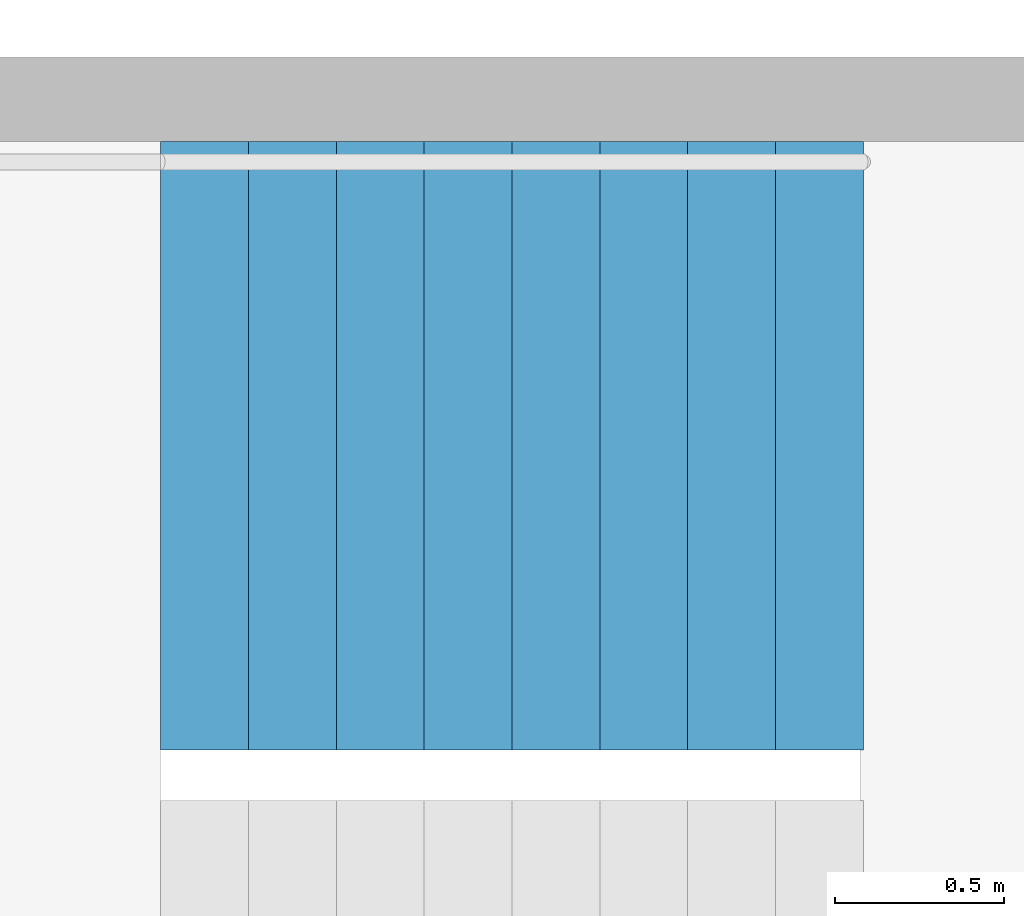
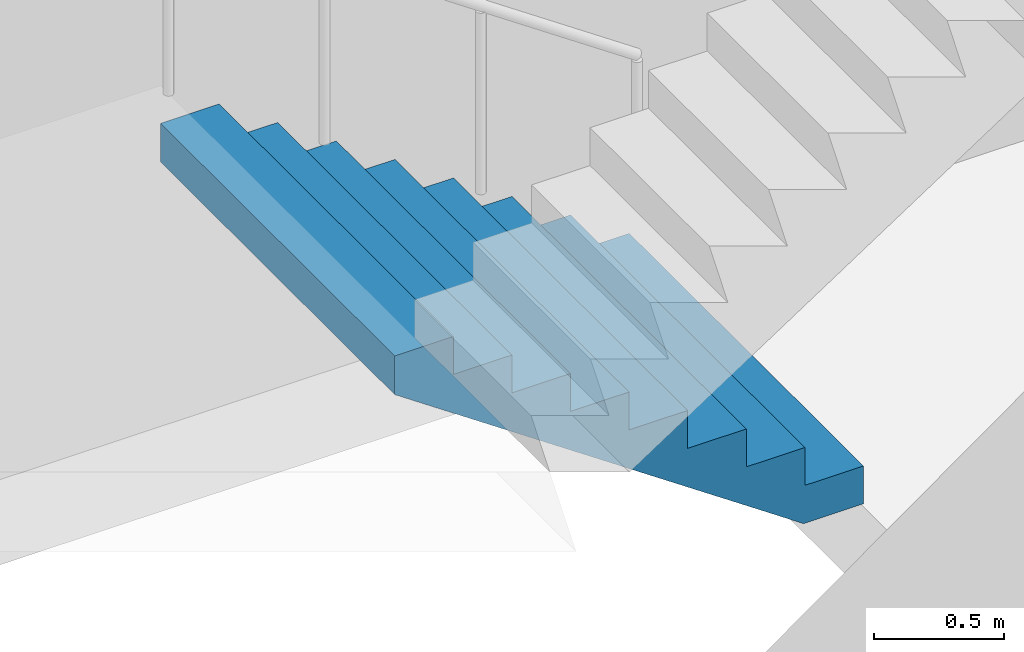
# One storey, part 22 of 29: 1 stair flight, 1 element without a shape of its own.
"""IFC4 building model written with IfcOpenShell, lengths in metres."""

import ifcopenshell
import ifcopenshell.guid

model = None  # the IFC model being written
_history = None  # IfcOwnerHistory: only IFC2X3 demands one
_inside = {}  # id of a spatial element -> (the spatial element, [elements in it])
_under = {}  # id of a project, library or spatial element -> (it, [spatial elements below it])
_declared = {}  # id of a project -> (the project, [libraries it declares])
_typed = {}  # id of a type object -> (the type object, [elements of that type])
_made_of = {}  # id of a material, layer set ... -> (it, [elements and type objects made of it])


def new_model(schema):
    """Start an empty IFC model of exactly this schema.

    Asked for "IFC4X3", IfcOpenShell would pick the latest addendum, in which some entities
    have other attributes; the version numbers below select the first issue.
    IFC2X3 requires an IfcOwnerHistory on every rooted entity: one is made here for all.
    """
    global model, _history
    if schema == "IFC4X3":
        model = ifcopenshell.file(schema_version=(4, 3, 0, 0))
    else:
        model = ifcopenshell.file(schema=schema)
    _inside.clear()
    _under.clear()
    _declared.clear()
    _typed.clear()
    _made_of.clear()
    _history = None
    if model.schema == "IFC2X3":
        org = make("IfcOrganization", Name="unknown")
        user = make(
            "IfcPersonAndOrganization",
            ThePerson=make("IfcPerson", FamilyName="unknown"),
            TheOrganization=org,
        )
        app = make(
            "IfcApplication",
            ApplicationDeveloper=org,
            Version="unknown",
            ApplicationFullName="unknown",
            ApplicationIdentifier="unknown",
        )
        _history = make(
            "IfcOwnerHistory",
            OwningUser=user,
            OwningApplication=app,
            ChangeAction="ADDED",
            CreationDate=0,
        )
    return model


def make(cls, **values):
    """One entity of the class cls with the attributes given. An attribute that is None is left unset."""
    return model.create_entity(
        cls, **{name: value for name, value in values.items() if value is not None}
    )


def rooted(cls, **values):
    """An entity with a GlobalId (a new one), such as an element, a storey or a relation."""
    return make(cls, GlobalId=ifcopenshell.guid.new(), OwnerHistory=_history, **values)


def si_unit(unit_type, name, prefix=None):
    """IfcSIUnit, for example si_unit("LENGTHUNIT", "METRE", prefix="MILLI")."""
    return make("IfcSIUnit", UnitType=unit_type, Prefix=prefix, Name=name)


def assignment(units):
    """IfcUnitAssignment: the units of a project."""
    return None if units is None else make("IfcUnitAssignment", Units=units)


def point(xyz):
    """IfcCartesianPoint."""
    return None if xyz is None else make("IfcCartesianPoint", Coordinates=xyz)


def direction(xyz):
    """IfcDirection."""
    return None if xyz is None else make("IfcDirection", DirectionRatios=xyz)


def frame(location, z_axis=None, x_axis=None):
    """IfcAxis2Placement3D, a coordinate frame: its origin and axes. An axis left out is left unset."""
    return make(
        "IfcAxis2Placement3D",
        Location=point(location),
        Axis=direction(z_axis),
        RefDirection=direction(x_axis),
    )


def origin():
    """The frame at (0, 0, 0) with its axes left unset."""
    return frame((0.0, 0.0, 0.0))


def place(relative_to, where):
    """IfcLocalPlacement: puts the frame where relative to a parent placement (None: the world)."""
    return make(
        "IfcLocalPlacement", PlacementRelTo=relative_to, RelativePlacement=where
    )


def context(
    kind, dimensions, precision=None, world=None, true_north=None, identifier=None
):
    """IfcGeometricRepresentationContext, for example the 3D "Model" context."""
    return make(
        "IfcGeometricRepresentationContext",
        ContextIdentifier=identifier,
        ContextType=kind,
        CoordinateSpaceDimension=dimensions,
        Precision=precision,
        WorldCoordinateSystem=world,
        TrueNorth=true_north,
    )


def subcontext(parent, identifier, kind, view, scale=None):
    """IfcGeometricRepresentationSubContext, for example "Body" below "Model"."""
    return make(
        "IfcGeometricRepresentationSubContext",
        ContextIdentifier=identifier,
        ContextType=kind,
        ParentContext=parent,
        TargetScale=scale,
        TargetView=view,
    )


def project(units=None, contexts=None):
    """IfcProject with its units and contexts."""
    return rooted(
        "IfcProject",
        Name="project",
        RepresentationContexts=contexts,
        UnitsInContext=assignment(units),
    )


def spatial(cls, under=None, at=None, **own):
    """A site, building, storey or space (cls), placed at a placement, below another one or the project."""
    s = rooted(cls, ObjectPlacement=at, **own)
    if under is not None:
        _under.setdefault(under.id(), (under, []))[1].append(s)
    return s


def point_list(points):
    """IfcCartesianPointList2D or 3D."""
    cls = (
        "IfcCartesianPointList2D" if len(points[0]) == 2 else "IfcCartesianPointList3D"
    )
    return make(cls, CoordList=points)


def triangles(points, corners, closed=None, point_numbers=None):
    """IfcTriangulatedFaceSet: each triangle names its three corners, points numbered from 1."""
    return make(
        "IfcTriangulatedFaceSet",
        Coordinates=point_list(points),
        Closed=closed,
        CoordIndex=corners,
        PnIndex=point_numbers,
    )


def shape(context_of_items, identifier, shape_type, items):
    """IfcShapeRepresentation: the items that make up one representation, for example the "Body"."""
    return make(
        "IfcShapeRepresentation",
        ContextOfItems=context_of_items,
        RepresentationIdentifier=identifier,
        RepresentationType=shape_type,
        Items=items,
    )


def material(Name=None, Category=None):
    """IfcMaterial."""
    return make("IfcMaterial", Name=Name, Category=Category)


def made_of(thing, what):
    """Note that an element or type object is made of a material, layer set ...; save() writes the relation."""
    if what is not None:
        _made_of.setdefault(what.id(), (what, []))[1].append(thing)
    return thing


def type_object(cls, material=None, **own):
    """A type object (cls), such as IfcWallType, which elements share."""
    return made_of(rooted(cls, **own), material)


def element(
    cls,
    number,
    at=None,
    inside=None,
    cuts=None,
    type_object=None,
    material=None,
    context=None,
    identifier="Body",
    shape_type=None,
    held_by="IfcProductDefinitionShape",
    body=None,
    shapes=None,
    **own,
):
    """One element of the class cls, such as IfcWall. Its Tag is "e" and its number.

    at: its placement. inside: the storey or other place that contains it. cuts: it is an
    opening in that element (IfcRelVoidsElement). A single representation is given by context,
    identifier, shape_type and body (its items); several are given by shapes. held_by: the class
    of the entity that holds the representations. save() writes the other relations.
    """
    e = rooted(cls, Tag="e%d" % number, ObjectPlacement=at, **own)
    if body is not None:
        shapes = [shape(context, identifier, shape_type, body)]
    if shapes is not None:
        e.Representation = make(held_by, Representations=shapes)
    if inside is not None:
        _inside.setdefault(inside.id(), (inside, []))[1].append(e)
    if cuts is not None:
        rooted(
            "IfcRelVoidsElement", RelatingBuildingElement=cuts, RelatedOpeningElement=e
        )
    if type_object is not None:
        _typed.setdefault(type_object.id(), (type_object, []))[1].append(e)
    return made_of(e, material)


def aggregate(whole, parts):
    """IfcRelAggregates: a whole, such as a stair, and the parts it consists of."""
    return rooted("IfcRelAggregates", RelatingObject=whole, RelatedObjects=parts)


def save(model, path):
    """Write the relations noted so far, then the file.

    IfcRelAggregates (storeys below a building ...), IfcRelContainedInSpatialStructure (elements
    in a storey), IfcRelDefinesByType, IfcRelAssociatesMaterial and IfcRelDeclares: one each for
    every whole, place, type object, material and project.
    """
    for whole, parts in _under.values():
        aggregate(whole, parts)
    for where, things in _inside.values():
        rooted(
            "IfcRelContainedInSpatialStructure",
            RelatedElements=things,
            RelatingStructure=where,
        )
    for kind, things in _typed.values():
        rooted("IfcRelDefinesByType", RelatedObjects=things, RelatingType=kind)
    for what, things in _made_of.values():
        rooted("IfcRelAssociatesMaterial", RelatedObjects=things, RelatingMaterial=what)
    for by, libraries in _declared.values():
        rooted("IfcRelDeclares", RelatingContext=by, RelatedDefinitions=libraries)
    model.write(path)


model = new_model("IFC4")

# Units and contexts
model_context = context("Model", 3, precision=1e-05, world=origin(), true_north=direction((0.0, 1.0)))
body_context = subcontext(model_context, "Body", "Model", "MODEL_VIEW")
ifc_project = project(units=[si_unit("LENGTHUNIT", "METRE"), si_unit("AREAUNIT", "SQUARE_METRE"), si_unit("VOLUMEUNIT", "CUBIC_METRE"), si_unit("PLANEANGLEUNIT", "RADIAN"), si_unit("MASSUNIT", "GRAM", prefix="KILO")], contexts=[model_context])

# Site, building, storey
site_placement = place(None, origin())
site = spatial("IfcSite", under=ifc_project, at=site_placement, CompositionType="ELEMENT")
building_placement = place(site_placement, origin())
building = spatial("IfcBuilding", under=site, at=building_placement, Name="Hakoniwa Tower and Hamabe Station Hall", CompositionType="ELEMENT")
storey_placement = place(building_placement, frame((0.0, 0.0, 75.39990234375)))
storey = spatial("IfcBuildingStorey", under=building, at=storey_placement, Name="L20", CompositionType="ELEMENT", Elevation=75.39990234375)

# Stair, stair flight
ifc_material_1 = material(Name="Concrete C40", Category="concrete")
stair_type = type_object("IfcStairType", Name="ESCAPE STAIR 1800", PredefinedType="HALF_TURN_STAIR", material=ifc_material_1)
stair_placement = place(storey_placement, origin())
stair = element("IfcStair", 1, at=stair_placement, inside=storey, type_object=stair_type, Name="Escape stair ST-2 L20", PredefinedType="HALF_TURN_STAIR")
ifc_material_2 = material(Name="Concrete C40", Category="concrete")
stair_flight_type = type_object("IfcStairFlightType", Name="STAIR FLIGHT 1800", PredefinedType="STRAIGHT", material=ifc_material_2)
stair_flight_placement = place(storey_placement, frame((-23.39990234375, -4.64990234375, 0.0), z_axis=(0.0, 0.0, 1.0), x_axis=(-1.0, 0.0, 0.0)))
stair_flight = element("IfcStairFlight", 2, at=stair_flight_placement, type_object=stair_flight_type, Name="ST-2 flight 1", NumberOfRisers=9, NumberOfTreads=8, PredefinedType="STRAIGHT", RiserHeight=0.177777778, TreadLength=0.26, context=body_context, shape_type="Tessellation", body=[
    triangles([(0.0, 0.89990234375, 0.0), (0.260009765625, 0.89990234375, 0.0), (0.265625, 0.89990234375, 0.0), (0.52001953125, 0.89990234375, 0.174072265625), (0.780029296875, 0.89990234375, 0.351806640625), (1.0400390625, 0.89990234375, 0.529541015625), (1.300048828125, 0.89990234375, 0.707275390625), (1.56005859375, 0.89990234375, 0.885009765625), (1.820068359375, 0.89990234375, 1.062744140625), (2.080078125, 0.89990234375, 1.24072265625), (2.080078125, 0.89990234375, 1.422119140625), (1.820068359375, 0.89990234375, 1.422119140625), (1.820068359375, 0.89990234375, 1.244384765625), (1.56005859375, 0.89990234375, 1.244384765625), (1.56005859375, 0.89990234375, 1.066650390625), (1.300048828125, 0.89990234375, 1.066650390625), (1.300048828125, 0.89990234375, 0.888916015625), (1.0400390625, 0.89990234375, 0.888916015625), (1.0400390625, 0.89990234375, 0.711181640625), (0.780029296875, 0.89990234375, 0.711181640625), (0.780029296875, 0.89990234375, 0.533447265625), (0.52001953125, 0.89990234375, 0.533447265625), (0.52001953125, 0.89990234375, 0.35546875), (0.265625, 0.89990234375, 0.35546875), (0.260009765625, 0.89990234375, 0.35546875), (0.260009765625, 0.89990234375, 0.177734375), (0.0, 0.89990234375, 0.177734375), (0.0, 0.06005859375, 0.0), (0.260009765625, 0.06005859375, 0.0), (0.265625, 0.06005859375, 0.0), (0.52001953125, 0.06005859375, 0.174072265625), (0.780029296875, 0.06005859375, 0.351806640625), (1.0400390625, 0.06005859375, 0.529541015625), (1.300048828125, 0.06005859375, 0.707275390625), (1.56005859375, 0.06005859375, 0.885009765625), (1.820068359375, 0.06005859375, 1.062744140625), (2.080078125, 0.06005859375, 1.24072265625), (2.080078125, 0.06005859375, 1.422119140625), (1.820068359375, 0.06005859375, 1.422119140625), (1.820068359375, 0.06005859375, 1.244384765625), (1.56005859375, 0.06005859375, 1.244384765625), (1.56005859375, 0.06005859375, 1.066650390625), (1.300048828125, 0.06005859375, 1.066650390625), (1.300048828125, 0.06005859375, 0.888916015625), (1.0400390625, 0.06005859375, 0.888916015625), (1.0400390625, 0.06005859375, 0.711181640625), (0.780029296875, 0.06005859375, 0.711181640625), (0.780029296875, 0.06005859375, 0.533447265625), (0.52001953125, 0.06005859375, 0.533447265625), (0.52001953125, 0.06005859375, 0.35546875), (0.265625, 0.06005859375, 0.35546875), (0.260009765625, 0.06005859375, 0.35546875), (0.260009765625, 0.06005859375, 0.177734375), (0.0, 0.06005859375, 0.177734375), (0.0, 0.04296875, 0.0), (0.260009765625, 0.04296875, 0.0), (0.265625, 0.04296875, 0.0), (0.52001953125, 0.04296875, 0.174072265625), (0.780029296875, 0.04296875, 0.351806640625), (1.0400390625, 0.04296875, 0.529541015625), (1.300048828125, 0.04296875, 0.707275390625), (1.56005859375, 0.04296875, 0.885009765625), (1.820068359375, 0.04296875, 1.062744140625), (2.080078125, 0.04296875, 1.24072265625), (2.080078125, 0.04296875, 1.422119140625), (1.820068359375, 0.04296875, 1.422119140625), (1.820068359375, 0.04296875, 1.244384765625), (1.56005859375, 0.04296875, 1.244384765625), (1.56005859375, 0.04296875, 1.066650390625), (1.300048828125, 0.04296875, 1.066650390625), (1.300048828125, 0.04296875, 0.888916015625), (1.0400390625, 0.04296875, 0.888916015625), (1.0400390625, 0.04296875, 0.711181640625), (0.780029296875, 0.04296875, 0.711181640625), (0.780029296875, 0.04296875, 0.533447265625), (0.52001953125, 0.04296875, 0.533447265625), (0.52001953125, 0.04296875, 0.35546875), (0.265625, 0.04296875, 0.35546875), (0.260009765625, 0.04296875, 0.35546875), (0.260009765625, 0.04296875, 0.177734375), (0.0, 0.04296875, 0.177734375), (0.0, 0.025634765625, 0.0), (0.260009765625, 0.025634765625, 0.0), (0.265625, 0.025634765625, 0.0), (0.52001953125, 0.025634765625, 0.174072265625), (0.780029296875, 0.025634765625, 0.351806640625), (1.0400390625, 0.025634765625, 0.529541015625), (1.300048828125, 0.025634765625, 0.707275390625), (1.56005859375, 0.025634765625, 0.885009765625), (1.820068359375, 0.025634765625, 1.062744140625), (2.080078125, 0.025634765625, 1.24072265625), (2.080078125, 0.025634765625, 1.422119140625), (1.820068359375, 0.025634765625, 1.422119140625), (1.820068359375, 0.025634765625, 1.244384765625), (1.56005859375, 0.025634765625, 1.244384765625), (1.56005859375, 0.025634765625, 1.066650390625), (1.300048828125, 0.025634765625, 1.066650390625), (1.300048828125, 0.025634765625, 0.888916015625), (1.0400390625, 0.025634765625, 0.888916015625), (1.0400390625, 0.025634765625, 0.711181640625), (0.780029296875, 0.025634765625, 0.711181640625), (0.780029296875, 0.025634765625, 0.533447265625), (0.52001953125, 0.025634765625, 0.533447265625), (0.52001953125, 0.025634765625, 0.35546875), (0.265625, 0.025634765625, 0.35546875), (0.260009765625, 0.025634765625, 0.35546875), (0.260009765625, 0.025634765625, 0.177734375), (0.0, 0.025634765625, 0.177734375), (0.0, 0.008544921875, 0.0), (0.260009765625, 0.008544921875, 0.0), (0.265625, 0.008544921875, 0.0), (0.52001953125, 0.008544921875, 0.174072265625), (0.780029296875, 0.008544921875, 0.351806640625), (1.0400390625, 0.008544921875, 0.529541015625), (1.300048828125, 0.008544921875, 0.707275390625), (1.56005859375, 0.008544921875, 0.885009765625), (1.820068359375, 0.008544921875, 1.062744140625), (2.080078125, 0.008544921875, 1.24072265625), (2.080078125, 0.008544921875, 1.422119140625), (1.820068359375, 0.008544921875, 1.422119140625), (1.820068359375, 0.008544921875, 1.244384765625), (1.56005859375, 0.008544921875, 1.244384765625), (1.56005859375, 0.008544921875, 1.066650390625), (1.300048828125, 0.008544921875, 1.066650390625), (1.300048828125, 0.008544921875, 0.888916015625), (1.0400390625, 0.008544921875, 0.888916015625), (1.0400390625, 0.008544921875, 0.711181640625), (0.780029296875, 0.008544921875, 0.711181640625), (0.780029296875, 0.008544921875, 0.533447265625), (0.52001953125, 0.008544921875, 0.533447265625), (0.52001953125, 0.008544921875, 0.35546875), (0.265625, 0.008544921875, 0.35546875), (0.260009765625, 0.008544921875, 0.35546875), (0.260009765625, 0.008544921875, 0.177734375), (0.0, 0.008544921875, 0.177734375), (0.0, -0.008544921875, 0.0), (0.260009765625, -0.008544921875, 0.0), (0.265625, -0.008544921875, 0.0), (0.52001953125, -0.008544921875, 0.174072265625), (0.780029296875, -0.008544921875, 0.351806640625), (1.0400390625, -0.008544921875, 0.529541015625), (1.300048828125, -0.008544921875, 0.707275390625), (1.56005859375, -0.008544921875, 0.885009765625), (1.820068359375, -0.008544921875, 1.062744140625), (2.080078125, -0.008544921875, 1.24072265625), (2.080078125, -0.008544921875, 1.422119140625), (1.820068359375, -0.008544921875, 1.422119140625), (1.820068359375, -0.008544921875, 1.244384765625), (1.56005859375, -0.008544921875, 1.244384765625), (1.56005859375, -0.008544921875, 1.066650390625), (1.300048828125, -0.008544921875, 1.066650390625), (1.300048828125, -0.008544921875, 0.888916015625), (1.0400390625, -0.008544921875, 0.888916015625), (1.0400390625, -0.008544921875, 0.711181640625), (0.780029296875, -0.008544921875, 0.711181640625), (0.780029296875, -0.008544921875, 0.533447265625), (0.52001953125, -0.008544921875, 0.533447265625), (0.52001953125, -0.008544921875, 0.35546875), (0.265625, -0.008544921875, 0.35546875), (0.260009765625, -0.008544921875, 0.35546875), (0.260009765625, -0.008544921875, 0.177734375), (0.0, -0.008544921875, 0.177734375), (0.0, -0.025634765625, 0.0), (0.260009765625, -0.025634765625, 0.0), (0.265625, -0.025634765625, 0.0), (0.52001953125, -0.025634765625, 0.174072265625), (0.780029296875, -0.025634765625, 0.351806640625), (1.0400390625, -0.025634765625, 0.529541015625), (1.300048828125, -0.025634765625, 0.707275390625), (1.56005859375, -0.025634765625, 0.885009765625), (1.820068359375, -0.025634765625, 1.062744140625), (2.080078125, -0.025634765625, 1.24072265625), (2.080078125, -0.025634765625, 1.422119140625), (1.820068359375, -0.025634765625, 1.422119140625), (1.820068359375, -0.025634765625, 1.244384765625), (1.56005859375, -0.025634765625, 1.244384765625), (1.56005859375, -0.025634765625, 1.066650390625), (1.300048828125, -0.025634765625, 1.066650390625), (1.300048828125, -0.025634765625, 0.888916015625), (1.0400390625, -0.025634765625, 0.888916015625), (1.0400390625, -0.025634765625, 0.711181640625), (0.780029296875, -0.025634765625, 0.711181640625), (0.780029296875, -0.025634765625, 0.533447265625), (0.52001953125, -0.025634765625, 0.533447265625), (0.52001953125, -0.025634765625, 0.35546875), (0.265625, -0.025634765625, 0.35546875), (0.260009765625, -0.025634765625, 0.35546875), (0.260009765625, -0.025634765625, 0.177734375), (0.0, -0.025634765625, 0.177734375), (0.0, -0.04296875, 0.0), (0.260009765625, -0.04296875, 0.0), (0.265625, -0.04296875, 0.0), (0.52001953125, -0.04296875, 0.174072265625), (0.780029296875, -0.04296875, 0.351806640625), (1.0400390625, -0.04296875, 0.529541015625), (1.300048828125, -0.04296875, 0.707275390625), (1.56005859375, -0.04296875, 0.885009765625), (1.820068359375, -0.04296875, 1.062744140625), (2.080078125, -0.04296875, 1.24072265625), (2.080078125, -0.04296875, 1.422119140625), (1.820068359375, -0.04296875, 1.422119140625), (1.820068359375, -0.04296875, 1.244384765625), (1.56005859375, -0.04296875, 1.244384765625), (1.56005859375, -0.04296875, 1.066650390625), (1.300048828125, -0.04296875, 1.066650390625), (1.300048828125, -0.04296875, 0.888916015625), (1.0400390625, -0.04296875, 0.888916015625), (1.0400390625, -0.04296875, 0.711181640625), (0.780029296875, -0.04296875, 0.711181640625), (0.780029296875, -0.04296875, 0.533447265625), (0.52001953125, -0.04296875, 0.533447265625), (0.52001953125, -0.04296875, 0.35546875), (0.265625, -0.04296875, 0.35546875), (0.260009765625, -0.04296875, 0.35546875), (0.260009765625, -0.04296875, 0.177734375), (0.0, -0.04296875, 0.177734375), (0.0, -0.06005859375, 0.0), (0.260009765625, -0.06005859375, 0.0), (0.265625, -0.06005859375, 0.0), (0.52001953125, -0.06005859375, 0.174072265625), (0.780029296875, -0.06005859375, 0.351806640625), (1.0400390625, -0.06005859375, 0.529541015625), (1.300048828125, -0.06005859375, 0.707275390625), (1.56005859375, -0.06005859375, 0.885009765625), (1.820068359375, -0.06005859375, 1.062744140625), (2.080078125, -0.06005859375, 1.24072265625), (2.080078125, -0.06005859375, 1.422119140625), (1.820068359375, -0.06005859375, 1.422119140625), (1.820068359375, -0.06005859375, 1.244384765625), (1.56005859375, -0.06005859375, 1.244384765625), (1.56005859375, -0.06005859375, 1.066650390625), (1.300048828125, -0.06005859375, 1.066650390625), (1.300048828125, -0.06005859375, 0.888916015625), (1.0400390625, -0.06005859375, 0.888916015625), (1.0400390625, -0.06005859375, 0.711181640625), (0.780029296875, -0.06005859375, 0.711181640625), (0.780029296875, -0.06005859375, 0.533447265625), (0.52001953125, -0.06005859375, 0.533447265625), (0.52001953125, -0.06005859375, 0.35546875), (0.265625, -0.06005859375, 0.35546875), (0.260009765625, -0.06005859375, 0.35546875), (0.260009765625, -0.06005859375, 0.177734375), (0.0, -0.06005859375, 0.177734375), (0.0, -0.89990234375, 0.0), (0.260009765625, -0.89990234375, 0.0), (0.265625, -0.89990234375, 0.0), (0.52001953125, -0.89990234375, 0.174072265625), (0.780029296875, -0.89990234375, 0.351806640625), (1.0400390625, -0.89990234375, 0.529541015625), (1.300048828125, -0.89990234375, 0.707275390625), (1.56005859375, -0.89990234375, 0.885009765625), (1.820068359375, -0.89990234375, 1.062744140625), (2.080078125, -0.89990234375, 1.24072265625), (2.080078125, -0.89990234375, 1.422119140625), (1.820068359375, -0.89990234375, 1.422119140625), (1.820068359375, -0.89990234375, 1.244384765625), (1.56005859375, -0.89990234375, 1.244384765625), (1.56005859375, -0.89990234375, 1.066650390625), (1.300048828125, -0.89990234375, 1.066650390625), (1.300048828125, -0.89990234375, 0.888916015625), (1.0400390625, -0.89990234375, 0.888916015625), (1.0400390625, -0.89990234375, 0.711181640625), (0.780029296875, -0.89990234375, 0.711181640625), (0.780029296875, -0.89990234375, 0.533447265625), (0.52001953125, -0.89990234375, 0.533447265625), (0.52001953125, -0.89990234375, 0.35546875), (0.265625, -0.89990234375, 0.35546875), (0.260009765625, -0.89990234375, 0.35546875), (0.260009765625, -0.89990234375, 0.177734375), (0.0, -0.89990234375, 0.177734375)], [[2, 27, 26], [245, 269, 270], [2, 1, 27], [245, 270, 244], [3, 25, 24], [246, 267, 268], [3, 26, 25], [246, 268, 269], [3, 2, 26], [246, 269, 245], [4, 24, 23], [247, 266, 267], [4, 3, 24], [247, 267, 246], [5, 22, 21], [248, 264, 265], [5, 23, 22], [248, 265, 266], [5, 4, 23], [248, 266, 247], [6, 20, 19], [249, 262, 263], [6, 21, 20], [249, 263, 264], [6, 5, 21], [249, 264, 248], [7, 18, 17], [250, 260, 261], [7, 19, 18], [250, 261, 262], [7, 6, 19], [250, 262, 249], [8, 16, 15], [251, 258, 259], [8, 17, 16], [251, 259, 260], [8, 7, 17], [251, 260, 250], [9, 14, 13], [252, 256, 257], [9, 15, 14], [252, 257, 258], [9, 8, 15], [252, 258, 251], [10, 12, 11], [253, 254, 255], [10, 13, 12], [253, 255, 256], [10, 9, 13], [253, 256, 252], [1, 2, 29], [1, 29, 28], [28, 29, 56], [28, 56, 55], [55, 56, 83], [55, 83, 82], [82, 83, 110], [82, 110, 109], [109, 110, 137], [109, 137, 136], [136, 137, 164], [136, 164, 163], [163, 164, 191], [163, 191, 190], [190, 191, 218], [190, 218, 217], [217, 218, 245], [217, 245, 244], [2, 3, 30], [2, 30, 29], [29, 30, 57], [29, 57, 56], [56, 57, 84], [56, 84, 83], [83, 84, 111], [83, 111, 110], [110, 111, 138], [110, 138, 137], [137, 138, 165], [137, 165, 164], [164, 165, 192], [164, 192, 191], [191, 192, 219], [191, 219, 218], [218, 219, 246], [218, 246, 245], [3, 4, 31], [3, 31, 30], [30, 31, 58], [30, 58, 57], [57, 58, 85], [57, 85, 84], [84, 85, 112], [84, 112, 111], [111, 112, 139], [111, 139, 138], [138, 139, 166], [138, 166, 165], [165, 166, 193], [165, 193, 192], [192, 193, 220], [192, 220, 219], [219, 220, 247], [219, 247, 246], [4, 5, 32], [4, 32, 31], [31, 32, 59], [31, 59, 58], [58, 59, 86], [58, 86, 85], [85, 86, 113], [85, 113, 112], [112, 113, 140], [112, 140, 139], [139, 140, 167], [139, 167, 166], [166, 167, 194], [166, 194, 193], [193, 194, 221], [193, 221, 220], [220, 221, 248], [220, 248, 247], [5, 6, 33], [5, 33, 32], [32, 33, 60], [32, 60, 59], [59, 60, 87], [59, 87, 86], [86, 87, 114], [86, 114, 113], [113, 114, 141], [113, 141, 140], [140, 141, 168], [140, 168, 167], [167, 168, 195], [167, 195, 194], [194, 195, 222], [194, 222, 221], [221, 222, 249], [221, 249, 248], [6, 7, 34], [6, 34, 33], [33, 34, 61], [33, 61, 60], [60, 61, 88], [60, 88, 87], [87, 88, 115], [87, 115, 114], [114, 115, 142], [114, 142, 141], [141, 142, 169], [141, 169, 168], [168, 169, 196], [168, 196, 195], [195, 196, 223], [195, 223, 222], [222, 223, 250], [222, 250, 249], [7, 8, 35], [7, 35, 34], [34, 35, 62], [34, 62, 61], [61, 62, 89], [61, 89, 88], [88, 89, 116], [88, 116, 115], [115, 116, 143], [115, 143, 142], [142, 143, 170], [142, 170, 169], [169, 170, 197], [169, 197, 196], [196, 197, 224], [196, 224, 223], [223, 224, 251], [223, 251, 250], [8, 9, 36], [8, 36, 35], [35, 36, 63], [35, 63, 62], [62, 63, 90], [62, 90, 89], [89, 90, 117], [89, 117, 116], [116, 117, 144], [116, 144, 143], [143, 144, 171], [143, 171, 170], [170, 171, 198], [170, 198, 197], [197, 198, 225], [197, 225, 224], [224, 225, 252], [224, 252, 251], [9, 10, 37], [9, 37, 36], [36, 37, 64], [36, 64, 63], [63, 64, 91], [63, 91, 90], [90, 91, 118], [90, 118, 117], [117, 118, 145], [117, 145, 144], [144, 145, 172], [144, 172, 171], [171, 172, 199], [171, 199, 198], [198, 199, 226], [198, 226, 225], [225, 226, 253], [225, 253, 252], [10, 11, 38], [10, 38, 37], [37, 38, 65], [37, 65, 64], [64, 65, 92], [64, 92, 91], [91, 92, 119], [91, 119, 118], [118, 119, 146], [118, 146, 145], [145, 146, 173], [145, 173, 172], [172, 173, 200], [172, 200, 199], [199, 200, 227], [199, 227, 226], [226, 227, 254], [226, 254, 253], [11, 12, 39], [11, 39, 38], [38, 39, 66], [38, 66, 65], [65, 66, 93], [65, 93, 92], [92, 93, 120], [92, 120, 119], [119, 120, 147], [119, 147, 146], [146, 147, 174], [146, 174, 173], [173, 174, 201], [173, 201, 200], [200, 201, 228], [200, 228, 227], [227, 228, 255], [227, 255, 254], [12, 13, 40], [12, 40, 39], [39, 40, 67], [39, 67, 66], [66, 67, 94], [66, 94, 93], [93, 94, 121], [93, 121, 120], [120, 121, 148], [120, 148, 147], [147, 148, 175], [147, 175, 174], [174, 175, 202], [174, 202, 201], [201, 202, 229], [201, 229, 228], [228, 229, 256], [228, 256, 255], [13, 14, 41], [13, 41, 40], [40, 41, 68], [40, 68, 67], [67, 68, 95], [67, 95, 94], [94, 95, 122], [94, 122, 121], [121, 122, 149], [121, 149, 148], [148, 149, 176], [148, 176, 175], [175, 176, 203], [175, 203, 202], [202, 203, 230], [202, 230, 229], [229, 230, 257], [229, 257, 256], [14, 15, 42], [14, 42, 41], [41, 42, 69], [41, 69, 68], [68, 69, 96], [68, 96, 95], [95, 96, 123], [95, 123, 122], [122, 123, 150], [122, 150, 149], [149, 150, 177], [149, 177, 176], [176, 177, 204], [176, 204, 203], [203, 204, 231], [203, 231, 230], [230, 231, 258], [230, 258, 257], [15, 16, 43], [15, 43, 42], [42, 43, 70], [42, 70, 69], [69, 70, 97], [69, 97, 96], [96, 97, 124], [96, 124, 123], [123, 124, 151], [123, 151, 150], [150, 151, 178], [150, 178, 177], [177, 178, 205], [177, 205, 204], [204, 205, 232], [204, 232, 231], [231, 232, 259], [231, 259, 258], [16, 17, 44], [16, 44, 43], [43, 44, 71], [43, 71, 70], [70, 71, 98], [70, 98, 97], [97, 98, 125], [97, 125, 124], [124, 125, 152], [124, 152, 151], [151, 152, 179], [151, 179, 178], [178, 179, 206], [178, 206, 205], [205, 206, 233], [205, 233, 232], [232, 233, 260], [232, 260, 259], [17, 18, 45], [17, 45, 44], [44, 45, 72], [44, 72, 71], [71, 72, 99], [71, 99, 98], [98, 99, 126], [98, 126, 125], [125, 126, 153], [125, 153, 152], [152, 153, 180], [152, 180, 179], [179, 180, 207], [179, 207, 206], [206, 207, 234], [206, 234, 233], [233, 234, 261], [233, 261, 260], [18, 19, 46], [18, 46, 45], [45, 46, 73], [45, 73, 72], [72, 73, 100], [72, 100, 99], [99, 100, 127], [99, 127, 126], [126, 127, 154], [126, 154, 153], [153, 154, 181], [153, 181, 180], [180, 181, 208], [180, 208, 207], [207, 208, 235], [207, 235, 234], [234, 235, 262], [234, 262, 261], [19, 20, 47], [19, 47, 46], [46, 47, 74], [46, 74, 73], [73, 74, 101], [73, 101, 100], [100, 101, 128], [100, 128, 127], [127, 128, 155], [127, 155, 154], [154, 155, 182], [154, 182, 181], [181, 182, 209], [181, 209, 208], [208, 209, 236], [208, 236, 235], [235, 236, 263], [235, 263, 262], [20, 21, 48], [20, 48, 47], [47, 48, 75], [47, 75, 74], [74, 75, 102], [74, 102, 101], [101, 102, 129], [101, 129, 128], [128, 129, 156], [128, 156, 155], [155, 156, 183], [155, 183, 182], [182, 183, 210], [182, 210, 209], [209, 210, 237], [209, 237, 236], [236, 237, 264], [236, 264, 263], [21, 22, 49], [21, 49, 48], [48, 49, 76], [48, 76, 75], [75, 76, 103], [75, 103, 102], [102, 103, 130], [102, 130, 129], [129, 130, 157], [129, 157, 156], [156, 157, 184], [156, 184, 183], [183, 184, 211], [183, 211, 210], [210, 211, 238], [210, 238, 237], [237, 238, 265], [237, 265, 264], [22, 23, 50], [22, 50, 49], [49, 50, 77], [49, 77, 76], [76, 77, 104], [76, 104, 103], [103, 104, 131], [103, 131, 130], [130, 131, 158], [130, 158, 157], [157, 158, 185], [157, 185, 184], [184, 185, 212], [184, 212, 211], [211, 212, 239], [211, 239, 238], [238, 239, 266], [238, 266, 265], [23, 24, 51], [23, 51, 50], [50, 51, 78], [50, 78, 77], [77, 78, 105], [77, 105, 104], [104, 105, 132], [104, 132, 131], [131, 132, 159], [131, 159, 158], [158, 159, 186], [158, 186, 185], [185, 186, 213], [185, 213, 212], [212, 213, 240], [212, 240, 239], [239, 240, 267], [239, 267, 266], [24, 25, 52], [24, 52, 51], [51, 52, 79], [51, 79, 78], [78, 79, 106], [78, 106, 105], [105, 106, 133], [105, 133, 132], [132, 133, 160], [132, 160, 159], [159, 160, 187], [159, 187, 186], [186, 187, 214], [186, 214, 213], [213, 214, 241], [213, 241, 240], [240, 241, 268], [240, 268, 267], [25, 26, 53], [25, 53, 52], [52, 53, 80], [52, 80, 79], [79, 80, 107], [79, 107, 106], [106, 107, 134], [106, 134, 133], [133, 134, 161], [133, 161, 160], [160, 161, 188], [160, 188, 187], [187, 188, 215], [187, 215, 214], [214, 215, 242], [214, 242, 241], [241, 242, 269], [241, 269, 268], [26, 27, 54], [26, 54, 53], [53, 54, 81], [53, 81, 80], [80, 81, 108], [80, 108, 107], [107, 108, 135], [107, 135, 134], [134, 135, 162], [134, 162, 161], [161, 162, 189], [161, 189, 188], [188, 189, 216], [188, 216, 215], [215, 216, 243], [215, 243, 242], [242, 243, 270], [242, 270, 269], [27, 1, 28], [27, 28, 54], [54, 28, 55], [54, 55, 81], [81, 55, 82], [81, 82, 108], [108, 82, 109], [108, 109, 135], [135, 109, 136], [135, 136, 162], [162, 136, 163], [162, 163, 189], [189, 163, 190], [189, 190, 216], [216, 190, 217], [216, 217, 243], [243, 217, 244], [243, 244, 270]], closed=True),
])
aggregate(stair, [stair_flight])

save(model, "model.ifc")
